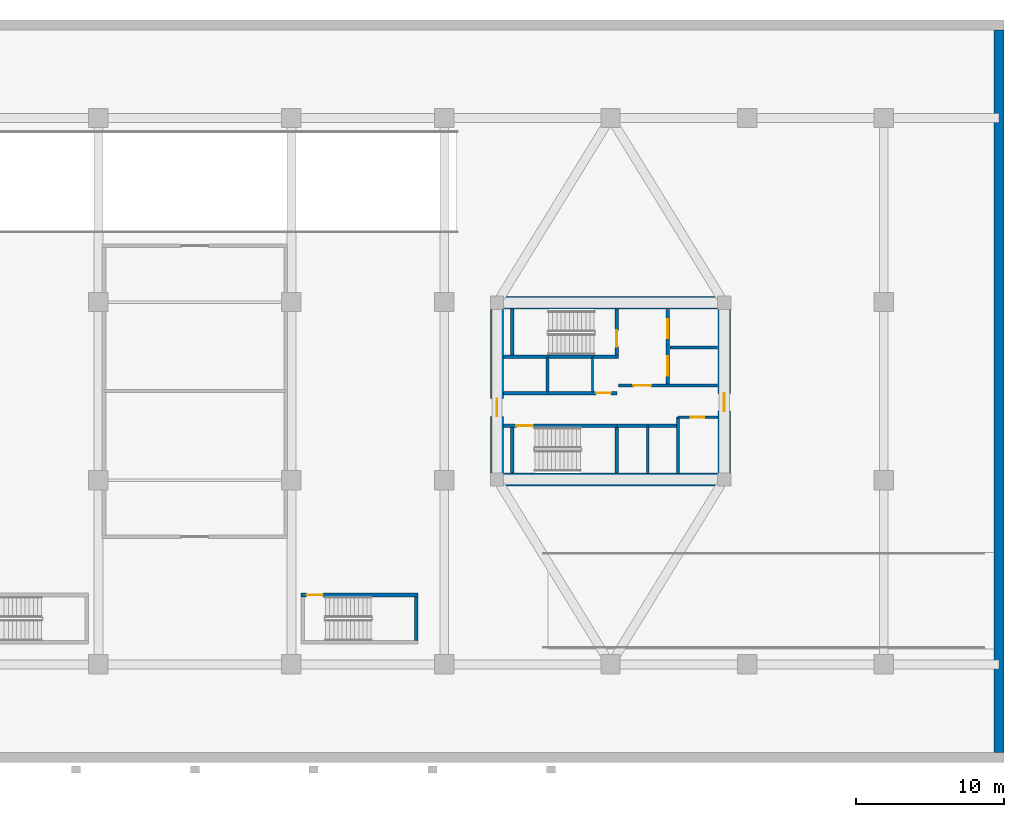
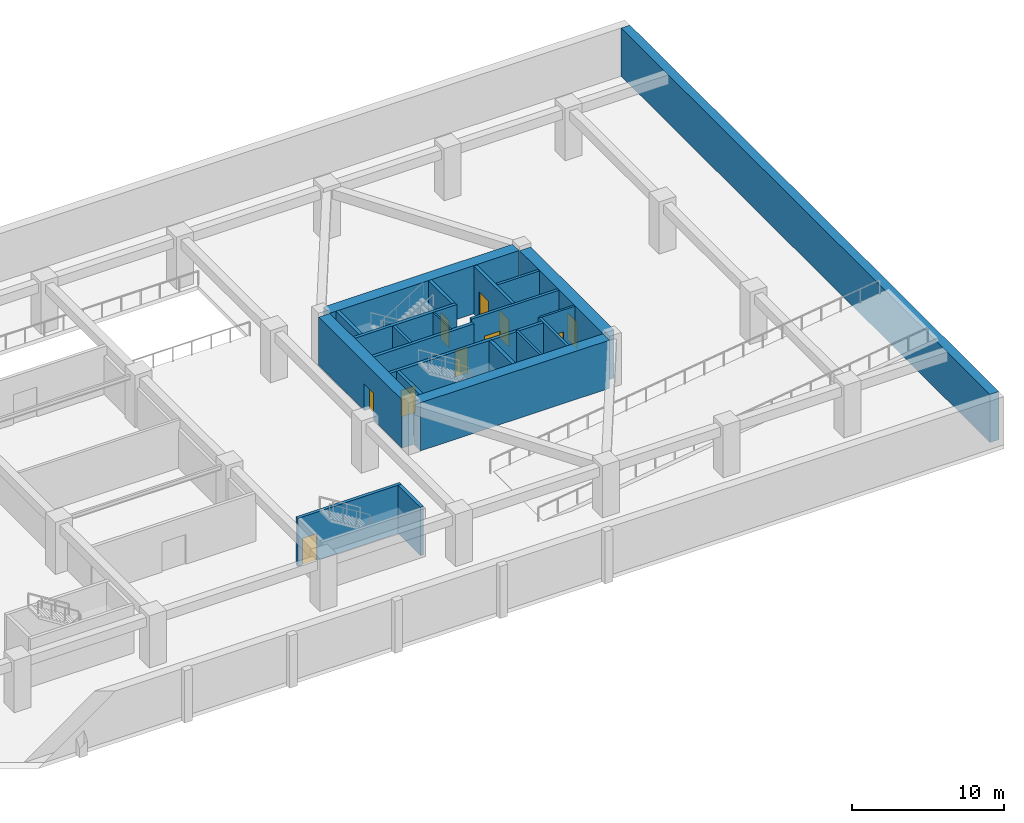
# One storey, part 7 of 14: 23 walls, 10 doors, 10 openings.
"""IFC4 building model written with IfcOpenShell, lengths in metres."""

from ifc_helpers import new_model, si_unit, direction, frame, frame_2d, origin, place, context, subcontext, project, spatial, rectangle, extrude, source, transform, mapped, material, layer, layer_set, type_object, type_shapes, element, fill, save


model = new_model("IFC4")

# Units and contexts
model_context = context("Model", 3, precision=1e-05, world=origin(), true_north=direction((0.0, 1.0)))
body_context = subcontext(model_context, "Body", "Model", "MODEL_VIEW")
ifc_project = project(units=[si_unit("LENGTHUNIT", "METRE"), si_unit("AREAUNIT", "SQUARE_METRE"), si_unit("VOLUMEUNIT", "CUBIC_METRE"), si_unit("PLANEANGLEUNIT", "RADIAN"), si_unit("MASSUNIT", "GRAM", prefix="KILO")], contexts=[model_context])

# Site, building, storey
site_placement = place(None, origin())
site = spatial("IfcSite", under=ifc_project, at=site_placement, CompositionType="ELEMENT")
building_placement = place(site_placement, origin())
building = spatial("IfcBuilding", under=site, at=building_placement, Name="Norrkilde Senior Care Towers", CompositionType="ELEMENT")
storey_placement = place(building_placement, frame((0.0, 0.0, -4.199951171875)))
storey = spatial("IfcBuildingStorey", under=building, at=storey_placement, Name="B1", CompositionType="ELEMENT", Elevation=-4.199951171875)

# Walls
ifc_material_1 = material(Name="Concrete C60/75", Category="concrete")
ifc_layer_1 = layer(ifc_material_1, 0.85009765625)
ifc_layer_set_1 = layer_set([ifc_layer_1], Name="Concrete C60/75")
wall_type_1 = type_object("IfcWallType", Name="Core Shear Wall Z1 850", PredefinedType="SHEAR", material=ifc_layer_set_1)
shared_shape_1 = source(origin(), body_context, "Body", "SweptSolid", [
    extrude(rectangle(XDim=14.39990234375, YDim=0.85009765625, at=frame_2d((7.199951171875, 0.0))), origin(), (0.0, 0.0, 1.0), 3.8798828125),
])
for number, where, z_axis, x_axis, name in (
    (1, (20.800048828125, 5.949951171875, 0.0), (0.0, 0.0, 1.0), (1.0, 0.0, 0.0), "B1 Core E North Shear Wall"),
    (2, (35.199951171875, -5.949951171875, 0.0), (0.0, 0.0, 1.0), (-1.0, 0.0, 0.0), "B1 Core E South Shear Wall"),
):
    element("IfcWall", number, at=place(storey_placement, frame(where, z_axis=z_axis, x_axis=x_axis)), inside=storey, type_object=wall_type_1, Name=name, PredefinedType="SHEAR", context=body_context, shape_type="MappedRepresentation", body=[
        mapped(shared_shape_1, transform((0.0, 0.0, 0.0), x_axis=(1.0, 0.0, 0.0), y_axis=(0.0, 1.0, 0.0), z_axis=(0.0, 0.0, 1.0), scale=1.0)),
    ])

# Wall, opening, door
shared_shape_2 = source(origin(), body_context, "Body", "SweptSolid", [
    extrude(rectangle(XDim=11.0, YDim=0.85009765625, at=frame_2d((5.5, 0.0))), origin(), (0.0, 0.0, 1.0), 3.8798828125),
])
type_shapes(wall_type_1, [shared_shape_1, shared_shape_2])
wall_1_placement = place(storey_placement, frame((20.35009765625, -5.5, 0.0), z_axis=(0.0, 0.0, 1.0), x_axis=(0.0, 1.0, 0.0)))
wall_1 = element("IfcWall", 3, at=wall_1_placement, inside=storey, type_object=wall_type_1, Name="B1 Core E West Shear Wall", PredefinedType="SHEAR", context=body_context, shape_type="MappedRepresentation", body=[
    mapped(shared_shape_2, transform((0.0, 0.0, 0.0), x_axis=(1.0, 0.0, 0.0), y_axis=(0.0, 1.0, 0.0), z_axis=(0.0, 0.0, 1.0), scale=1.0)),
])
opening_1_placement = place(wall_1_placement, frame((3.800048828125, 0.0, 0.0)))
opening_1 = element("IfcOpeningElement", 4, at=opening_1_placement, cuts=wall_1, Name="Opening D-04", PredefinedType="OPENING", context=body_context, shape_type="SweptSolid", body=[
    extrude(rectangle(XDim=1.199951171875, YDim=2.14990234375, at=frame_2d((0.60009765625, 1.074951171875))), frame((0.0, 0.43505859375, 0.0), z_axis=(0.0, -1.0, 0.0), x_axis=(1.0, 0.0, 0.0)), (0.0, 0.0, 1.0), 0.8701171875),
])
ifc_material_2 = material(Name="Galvanised Painted Steel", Category="steel")
door_type_1 = type_object("IfcDoorType", Name="Firefighting Lobby Fire Door 1200x2150", OperationType="NOTDEFINED", PredefinedType="DOOR", material=ifc_material_2)
shared_shape_3 = source(origin(), body_context, "Body", "SweptSolid", [
    extrude(rectangle(XDim=1.199951171875, YDim=2.14990234375, at=frame_2d((0.60009765625, 1.074951171875))), frame((0.0, 0.02490234375, 0.0), z_axis=(0.0, -1.0, 0.0), x_axis=(1.0, 0.0, 0.0)), (0.0, 0.0, 1.0), 0.050048828125),
])
type_shapes(door_type_1, [shared_shape_3])
door_1_placement = place(opening_1_placement, frame((1.199951171875, 0.0, 0.0), z_axis=(0.0, 0.0, 1.0), x_axis=(-1.0, 0.0, 0.0)))
door_1 = element("IfcDoor", 5, at=door_1_placement, inside=storey, type_object=door_type_1, Name="B1 Core E West Portal Door", OperationType="SINGLE_SWING_LEFT", OverallHeight=2.14990234375, OverallWidth=1.199951171875, PredefinedType="DOOR", context=body_context, shape_type="MappedRepresentation", body=[
    mapped(shared_shape_3, transform((0.0, 0.0, 0.0), x_axis=(1.0, 0.0, 0.0), y_axis=(0.0, 1.0, 0.0), z_axis=(0.0, 0.0, 1.0), scale=1.0)),
])
fill(opening_1, door_1)

wall_2_placement = place(storey_placement, frame((35.64990234375, 5.5, 0.0), z_axis=(0.0, 0.0, 1.0), x_axis=(0.0, -1.0, 0.0)))
wall_2 = element("IfcWall", 6, at=wall_2_placement, inside=storey, type_object=wall_type_1, Name="B1 Core E East Shear Wall", PredefinedType="SHEAR", context=body_context, shape_type="MappedRepresentation", body=[
    mapped(shared_shape_2, transform((0.0, 0.0, 0.0), x_axis=(1.0, 0.0, 0.0), y_axis=(0.0, 1.0, 0.0), z_axis=(0.0, 0.0, 1.0), scale=1.0)),
])
opening_2_placement = place(wall_2_placement, frame((5.64990234375, 0.0, 0.0)))
opening_2 = element("IfcOpeningElement", 7, at=opening_2_placement, cuts=wall_2, Name="Opening D-04", PredefinedType="OPENING", context=body_context, shape_type="SweptSolid", body=[
    extrude(rectangle(XDim=1.199951171875, YDim=2.14990234375, at=frame_2d((0.60009765625, 1.074951171875))), frame((0.0, 0.43505859375, 0.0), z_axis=(0.0, -1.0, 0.0), x_axis=(1.0, 0.0, 0.0)), (0.0, 0.0, 1.0), 0.8701171875),
])
door_2_placement = place(opening_2_placement, frame((1.199951171875, 0.0, 0.0), z_axis=(0.0, 0.0, 1.0), x_axis=(-1.0, 0.0, 0.0)))
door_2 = element("IfcDoor", 8, at=door_2_placement, inside=storey, type_object=door_type_1, Name="B1 Core E East Portal Door", OperationType="SINGLE_SWING_RIGHT", OverallHeight=2.14990234375, OverallWidth=1.199951171875, PredefinedType="DOOR", context=body_context, shape_type="MappedRepresentation", body=[
    mapped(shared_shape_3, transform((0.0, 0.0, 0.0), x_axis=(1.0, 0.0, 0.0), y_axis=(0.0, 1.0, 0.0), z_axis=(0.0, 0.0, 1.0), scale=1.0)),
])
fill(opening_2, door_2)

# Walls
ifc_material_3 = material(Name="Concrete C50/60", Category="concrete")
ifc_layer_2 = layer(ifc_material_3, 0.679931640625)
ifc_layer_set_2 = layer_set([ifc_layer_2], Name="Concrete C50/60")
wall_type_2 = type_object("IfcWallType", Name="Basement Retaining Wall 680", PredefinedType="SOLIDWALL", material=ifc_layer_set_2)
shared_shape_4 = source(origin(), body_context, "Body", "SweptSolid", [
    extrude(rectangle(XDim=48.64013671875, YDim=0.679931640625, at=frame_2d((24.320068359375, 0.0))), origin(), (0.0, 0.0, 1.0), 3.8798828125),
])
type_shapes(wall_type_2, [shared_shape_4])
wall_3_placement = place(storey_placement, frame((54.159912109375, -24.320068359375, 0.0), z_axis=(0.0, 0.0, 1.0), x_axis=(0.0, 1.0, 0.0)))
element("IfcWall", 9, at=wall_3_placement, inside=storey, type_object=wall_type_2, Name="B1 E Perimeter Retaining Wall", PredefinedType="SOLIDWALL", context=body_context, shape_type="MappedRepresentation", body=[
    mapped(shared_shape_4, transform((0.0, 0.0, 0.0), x_axis=(1.0, 0.0, 0.0), y_axis=(0.0, 1.0, 0.0), z_axis=(0.0, 0.0, 1.0), scale=1.0)),
])
ifc_material_4 = material(Name="Concrete C45/55", Category="concrete")
ifc_layer_3 = layer(ifc_material_4, 0.239990234375)
ifc_layer_set_3 = layer_set([ifc_layer_3], Name="Concrete C45/55")
wall_type_3 = type_object("IfcWallType", Name="Shaft and Stair Enclosure Wall 240", PredefinedType="PARTITIONING", material=ifc_layer_set_3)
shared_shape_5 = source(origin(), body_context, "Body", "SweptSolid", [
    extrude(rectangle(XDim=7.76513671875, YDim=0.239990234375, at=frame_2d((3.882568359375, 0.0))), origin(), (0.0, 0.0, 1.0), 3.8798828125),
])
wall_4_placement = place(storey_placement, frame((20.77490234375, 2.330078125, 0.0), z_axis=(0.0, 0.0, 1.0), x_axis=(1.0, 0.0, 0.0)))
element("IfcWall", 10, at=wall_4_placement, inside=storey, type_object=wall_type_3, Name="WL-INT-B1-E-ST1S", PredefinedType="PARTITIONING", context=body_context, shape_type="MappedRepresentation", body=[
    mapped(shared_shape_5, transform((0.0, 0.0, 0.0), x_axis=(1.0, 0.0, 0.0), y_axis=(0.0, 1.0, 0.0), z_axis=(0.0, 0.0, 1.0), scale=1.0)),
])

# Wall, opening, door
wall_5_placement = place(storey_placement, frame((20.77490234375, -2.330078125, 0.0), z_axis=(0.0, 0.0, 1.0), x_axis=(1.0, 0.0, 0.0)))
wall_5 = element("IfcWall", 11, at=wall_5_placement, inside=storey, type_object=wall_type_3, Name="WL-INT-B1-E-ST2N", PredefinedType="PARTITIONING", context=body_context, shape_type="MappedRepresentation", body=[
    mapped(shared_shape_5, transform((0.0, 0.0, 0.0), x_axis=(1.0, 0.0, 0.0), y_axis=(0.0, 1.0, 0.0), z_axis=(0.0, 0.0, 1.0), scale=1.0)),
])
opening_3_placement = place(wall_5_placement, frame((0.885009765625, 0.0, 0.0)))
opening_3 = element("IfcOpeningElement", 12, at=opening_3_placement, cuts=wall_5, Name="Opening D-03", PredefinedType="OPENING", context=body_context, shape_type="SweptSolid", body=[
    extrude(rectangle(XDim=1.10009765625, YDim=2.14990234375, at=frame_2d((0.550048828125, 1.074951171875))), frame((0.0, 0.1298828125, 0.0), z_axis=(0.0, -1.0, 0.0), x_axis=(1.0, 0.0, 0.0)), (0.0, 0.0, 1.0), 0.260009765625),
])
door_type_2 = type_object("IfcDoorType", Name="Stairwell Protected Fire Door 1100x2150", OperationType="NOTDEFINED", PredefinedType="DOOR", material=ifc_material_2)
shared_shape_6 = source(origin(), body_context, "Body", "SweptSolid", [
    extrude(rectangle(XDim=1.10009765625, YDim=2.14990234375, at=frame_2d((0.550048828125, 1.074951171875))), frame((0.0, 0.02490234375, 0.0), z_axis=(0.0, -1.0, 0.0), x_axis=(1.0, 0.0, 0.0)), (0.0, 0.0, 1.0), 0.050048828125),
])
type_shapes(door_type_2, [shared_shape_6])
door_3_placement = place(opening_3_placement, frame((1.10009765625, 0.0, 0.0), z_axis=(0.0, 0.0, 1.0), x_axis=(-1.0, 0.0, 0.0)))
door_3 = element("IfcDoor", 13, at=door_3_placement, inside=storey, type_object=door_type_2, Name="B1 Stair E2 Fire Door", OperationType="SINGLE_SWING_RIGHT", OverallHeight=2.14990234375, OverallWidth=1.10009765625, PredefinedType="DOOR", context=body_context, shape_type="MappedRepresentation", body=[
    mapped(shared_shape_6, transform((0.0, 0.0, 0.0), x_axis=(1.0, 0.0, 0.0), y_axis=(0.0, 1.0, 0.0), z_axis=(0.0, 0.0, 1.0), scale=1.0)),
])
fill(opening_3, door_3)

# Wall
shared_shape_7 = source(origin(), body_context, "Body", "SweptSolid", [
    extrude(rectangle(XDim=3.074951171875, YDim=0.239990234375, at=frame_2d((1.53759765625, 0.0))), origin(), (0.0, 0.0, 1.0), 3.8798828125),
])
wall_6_placement = place(storey_placement, frame((21.3798828125, 2.449951171875, 0.0), z_axis=(0.0, 0.0, 1.0), x_axis=(0.0, 1.0, 0.0)))
element("IfcWall", 14, at=wall_6_placement, inside=storey, type_object=wall_type_3, Name="WL-INT-B1-E-ST1W", PredefinedType="PARTITIONING", context=body_context, shape_type="MappedRepresentation", body=[
    mapped(shared_shape_7, transform((0.0, 0.0, 0.0), x_axis=(1.0, 0.0, 0.0), y_axis=(0.0, 1.0, 0.0), z_axis=(0.0, 0.0, 1.0), scale=1.0)),
])

# Wall, opening, door
wall_7_placement = place(storey_placement, frame((28.419921875, 2.449951171875, 0.0), z_axis=(0.0, 0.0, 1.0), x_axis=(0.0, 1.0, 0.0)))
wall_7 = element("IfcWall", 15, at=wall_7_placement, inside=storey, type_object=wall_type_3, Name="WL-INT-B1-E-ST1E", PredefinedType="PARTITIONING", context=body_context, shape_type="MappedRepresentation", body=[
    mapped(shared_shape_7, transform((0.0, 0.0, 0.0), x_axis=(1.0, 0.0, 0.0), y_axis=(0.0, 1.0, 0.0), z_axis=(0.0, 0.0, 1.0), scale=1.0)),
])
opening_4_placement = place(wall_7_placement, frame((0.550048828125, 0.0, 0.0)))
opening_4 = element("IfcOpeningElement", 16, at=opening_4_placement, cuts=wall_7, Name="Opening D-03", PredefinedType="OPENING", context=body_context, shape_type="SweptSolid", body=[
    extrude(rectangle(XDim=1.10009765625, YDim=2.14990234375, at=frame_2d((0.550048828125, 1.074951171875))), frame((0.0, 0.1298828125, 0.0), z_axis=(0.0, -1.0, 0.0), x_axis=(1.0, 0.0, 0.0)), (0.0, 0.0, 1.0), 0.260009765625),
])
door_4_placement = place(opening_4_placement, origin())
door_4 = element("IfcDoor", 17, at=door_4_placement, inside=storey, type_object=door_type_2, Name="B1 Stair E1 Fire Door", OperationType="SINGLE_SWING_LEFT", OverallHeight=2.14990234375, OverallWidth=1.10009765625, PredefinedType="DOOR", context=body_context, shape_type="MappedRepresentation", body=[
    mapped(shared_shape_6, transform((0.0, 0.0, 0.0), x_axis=(1.0, 0.0, 0.0), y_axis=(0.0, 1.0, 0.0), z_axis=(0.0, 0.0, 1.0), scale=1.0)),
])
fill(opening_4, door_4)

# Walls
for number, where, z_axis, x_axis, name in (
    (18, (21.3798828125, -5.52490234375, 0.0), (0.0, 0.0, 1.0), (0.0, 1.0, 0.0), "WL-INT-B1-E-ST2W"),
    (19, (28.419921875, -5.52490234375, 0.0), (0.0, 0.0, 1.0), (0.0, 1.0, 0.0), "WL-INT-B1-E-ST2E"),
):
    element("IfcWall", number, at=place(storey_placement, frame(where, z_axis=z_axis, x_axis=x_axis)), inside=storey, type_object=wall_type_3, Name=name, PredefinedType="PARTITIONING", context=body_context, shape_type="MappedRepresentation", body=[
        mapped(shared_shape_7, transform((0.0, 0.0, 0.0), x_axis=(1.0, 0.0, 0.0), y_axis=(0.0, 1.0, 0.0), z_axis=(0.0, 0.0, 1.0), scale=1.0)),
    ])

# Wall, openings, doors
ifc_layer_4 = layer(ifc_material_4, 0.239990234375)
ifc_layer_set_4 = layer_set([ifc_layer_4], Name="Concrete C45/55")
wall_type_4 = type_object("IfcWallType", Name="Lift and Plant Rated Enclosure Partition 240", PredefinedType="PARTITIONING", material=ifc_layer_set_4)
shared_shape_8 = source(origin(), body_context, "Body", "SweptSolid", [
    extrude(rectangle(XDim=5.0, YDim=0.239990234375, at=frame_2d((2.5, 0.0))), origin(), (0.0, 0.0, 1.0), 3.864990234375),
])
wall_8_placement = place(storey_placement, frame((31.860107421875, 0.5, 0.0), z_axis=(0.0, 0.0, 1.0), x_axis=(0.0, 1.0, 0.0)))
wall_8 = element("IfcWall", 20, at=wall_8_placement, inside=storey, type_object=wall_type_4, Name="WL-INT-B1-E-FFLE", PredefinedType="PARTITIONING", context=body_context, shape_type="MappedRepresentation", body=[
    mapped(shared_shape_8, transform((0.0, 0.0, 0.0), x_axis=(1.0, 0.0, 0.0), y_axis=(0.0, 1.0, 0.0), z_axis=(0.0, 0.0, 1.0), scale=1.0)),
])
opening_5_placement = place(wall_8_placement, frame((3.050048828125, 0.0, 0.0)))
opening_5 = element("IfcOpeningElement", 21, at=opening_5_placement, cuts=wall_8, Name="Opening LD-02", PredefinedType="OPENING", context=body_context, shape_type="SweptSolid", body=[
    extrude(rectangle(XDim=1.300048828125, YDim=2.199951171875, at=frame_2d((0.64990234375, 1.10009765625))), frame((0.0, 0.1298828125, 0.0), z_axis=(0.0, -1.0, 0.0), x_axis=(1.0, 0.0, 0.0)), (0.0, 0.0, 1.0), 0.260009765625),
])
opening_6_placement = place(wall_8_placement, frame((0.550048828125, 0.0, 0.0)))
opening_6 = element("IfcOpeningElement", 22, at=opening_6_placement, cuts=wall_8, Name="Opening LD-02", PredefinedType="OPENING", context=body_context, shape_type="SweptSolid", body=[
    extrude(rectangle(XDim=1.300048828125, YDim=2.199951171875, at=frame_2d((0.64990234375, 1.10009765625))), frame((0.0, 0.1298828125, 0.0), z_axis=(0.0, -1.0, 0.0), x_axis=(1.0, 0.0, 0.0)), (0.0, 0.0, 1.0), 0.260009765625),
])
ifc_material_5 = material(Name="Stainless Steel", Category="steel")
door_type_3 = type_object("IfcDoorType", Name="Stretcher and FFL Landing Sliding Door 1300x2200", OperationType="NOTDEFINED", PredefinedType="DOOR", material=ifc_material_5)
shared_shape_9 = source(origin(), body_context, "Body", "SweptSolid", [
    extrude(rectangle(XDim=1.300048828125, YDim=2.199951171875, at=frame_2d((0.64990234375, 1.10009765625))), frame((0.0, 0.02490234375, 0.0), z_axis=(0.0, -1.0, 0.0), x_axis=(1.0, 0.0, 0.0)), (0.0, 0.0, 1.0), 0.050048828125),
])
type_shapes(door_type_3, [shared_shape_9])
door_5_placement = place(opening_5_placement, origin())
door_5 = element("IfcDoor", 23, at=door_5_placement, inside=storey, type_object=door_type_3, Name="B1 Firefighting Lift E1 Landing Door", OperationType="SLIDING_TO_LEFT", OverallHeight=2.199951171875, OverallWidth=1.300048828125, PredefinedType="DOOR", context=body_context, shape_type="MappedRepresentation", body=[
    mapped(shared_shape_9, transform((0.0, 0.0, 0.0), x_axis=(1.0, 0.0, 0.0), y_axis=(0.0, 1.0, 0.0), z_axis=(0.0, 0.0, 1.0), scale=1.0)),
])
fill(opening_5, door_5)
door_6_placement = place(opening_6_placement, origin())
door_6 = element("IfcDoor", 24, at=door_6_placement, inside=storey, type_object=door_type_3, Name="B1 Stretcher Lift E1 Landing Door", OperationType="SLIDING_TO_RIGHT", OverallHeight=2.199951171875, OverallWidth=1.300048828125, PredefinedType="DOOR", context=body_context, shape_type="MappedRepresentation", body=[
    mapped(shared_shape_9, transform((0.0, 0.0, 0.0), x_axis=(1.0, 0.0, 0.0), y_axis=(0.0, 1.0, 0.0), z_axis=(0.0, 0.0, 1.0), scale=1.0)),
])
fill(opening_6, door_6)

# Wall
ifc_layer_5 = layer(ifc_material_4, 0.199951171875)
ifc_layer_set_5 = layer_set([ifc_layer_5], Name="Concrete C45/55")
wall_type_5 = type_object("IfcWallType", Name="Shaft Division and Plant Partition 200", PredefinedType="PARTITIONING", material=ifc_layer_set_5)
shared_shape_10 = source(origin(), body_context, "Body", "SweptSolid", [
    extrude(rectangle(XDim=3.199951171875, YDim=0.199951171875, at=frame_2d((1.60009765625, 0.0))), origin(), (0.0, 0.0, 1.0), 3.864990234375),
])
wall_9_placement = place(storey_placement, frame((32.0, 2.949951171875, 0.0), z_axis=(0.0, 0.0, 1.0), x_axis=(1.0, 0.0, 0.0)))
element("IfcWall", 25, at=wall_9_placement, inside=storey, type_object=wall_type_5, Name="WL-INT-B1-E-FFLDIV", PredefinedType="PARTITIONING", context=body_context, shape_type="MappedRepresentation", body=[
    mapped(shared_shape_10, transform((0.0, 0.0, 0.0), x_axis=(1.0, 0.0, 0.0), y_axis=(0.0, 1.0, 0.0), z_axis=(0.0, 0.0, 1.0), scale=1.0)),
])

# Wall, opening, door
ifc_layer_6 = layer(ifc_material_4, 0.2099609375)
ifc_layer_set_6 = layer_set([ifc_layer_6], Name="Concrete C45/55")
wall_type_6 = type_object("IfcWallType", Name="Firefighting Lobby Wall 210", PredefinedType="PARTITIONING", material=ifc_layer_set_6)
shared_shape_11 = source(origin(), body_context, "Body", "SweptSolid", [
    extrude(rectangle(XDim=6.659912109375, YDim=0.2099609375, at=frame_2d((3.330078125, 0.0))), origin(), (0.0, 0.0, 1.0), 3.864990234375),
])
type_shapes(wall_type_6, [shared_shape_11])
wall_10_placement = place(storey_placement, frame((28.5400390625, 0.389892578125, 0.0), z_axis=(0.0, 0.0, 1.0), x_axis=(1.0, 0.0, 0.0)))
wall_10 = element("IfcWall", 26, at=wall_10_placement, inside=storey, type_object=wall_type_6, Name="WL-INT-B1-E-FFLS", PredefinedType="PARTITIONING", context=body_context, shape_type="MappedRepresentation", body=[
    mapped(shared_shape_11, transform((0.0, 0.0, 0.0), x_axis=(1.0, 0.0, 0.0), y_axis=(0.0, 1.0, 0.0), z_axis=(0.0, 0.0, 1.0), scale=1.0)),
])
opening_7_placement = place(wall_10_placement, frame((1.0, 0.0, 0.0)))
opening_7 = element("IfcOpeningElement", 27, at=opening_7_placement, cuts=wall_10, Name="Opening D-04", PredefinedType="OPENING", context=body_context, shape_type="SweptSolid", body=[
    extrude(rectangle(XDim=1.199951171875, YDim=2.14990234375, at=frame_2d((0.60009765625, 1.074951171875))), frame((0.0, 0.114990234375, 0.0), z_axis=(0.0, -1.0, 0.0), x_axis=(1.0, 0.0, 0.0)), (0.0, 0.0, 1.0), 0.22998046875),
])
door_7_placement = place(opening_7_placement, frame((1.199951171875, 0.0, 0.0), z_axis=(0.0, 0.0, 1.0), x_axis=(-1.0, 0.0, 0.0)))
door_7 = element("IfcDoor", 28, at=door_7_placement, inside=storey, type_object=door_type_1, Name="B1 Firefighting Lobby E Door", OperationType="SINGLE_SWING_LEFT", OverallHeight=2.14990234375, OverallWidth=1.199951171875, PredefinedType="DOOR", context=body_context, shape_type="MappedRepresentation", body=[
    mapped(shared_shape_3, transform((0.0, 0.0, 0.0), x_axis=(1.0, 0.0, 0.0), y_axis=(0.0, 1.0, 0.0), z_axis=(0.0, 0.0, 1.0), scale=1.0)),
])
fill(opening_7, door_7)

shared_shape_12 = source(origin(), body_context, "Body", "SweptSolid", [
    extrude(rectangle(XDim=7.619873046875, YDim=0.239990234375, at=frame_2d((3.81005859375, 0.0))), origin(), (0.0, 0.0, 1.0), 3.864990234375),
])
wall_11_placement = place(storey_placement, frame((20.800048828125, -0.1298828125, 0.0), z_axis=(0.0, 0.0, 1.0), x_axis=(1.0, 0.0, 0.0)))
wall_11 = element("IfcWall", 29, at=wall_11_placement, inside=storey, type_object=wall_type_4, Name="WL-INT-B1-E-PKAS", PredefinedType="PARTITIONING", context=body_context, shape_type="MappedRepresentation", body=[
    mapped(shared_shape_12, transform((0.0, 0.0, 0.0), x_axis=(1.0, 0.0, 0.0), y_axis=(0.0, 1.0, 0.0), z_axis=(0.0, 0.0, 1.0), scale=1.0)),
])
opening_8_placement = place(wall_11_placement, frame((6.219970703125, 0.0, 0.0)))
opening_8 = element("IfcOpeningElement", 30, at=opening_8_placement, cuts=wall_11, Name="Opening D-10", PredefinedType="OPENING", context=body_context, shape_type="SweptSolid", body=[
    extrude(rectangle(XDim=1.0, YDim=2.10009765625, at=frame_2d((0.5, 1.050048828125))), frame((0.0, 0.1298828125, 0.0), z_axis=(0.0, -1.0, 0.0), x_axis=(1.0, 0.0, 0.0)), (0.0, 0.0, 1.0), 0.260009765625),
])
door_type_4 = type_object("IfcDoorType", Name="Plant and Riser Rated Door 1000x2100", OperationType="NOTDEFINED", PredefinedType="DOOR", material=ifc_material_2)
shared_shape_13 = source(origin(), body_context, "Body", "SweptSolid", [
    extrude(rectangle(XDim=1.0, YDim=2.10009765625, at=frame_2d((0.5, 1.050048828125))), frame((0.0, 0.02490234375, 0.0), z_axis=(0.0, -1.0, 0.0), x_axis=(1.0, 0.0, 0.0)), (0.0, 0.0, 1.0), 0.050048828125),
])
type_shapes(door_type_4, [shared_shape_13])
door_8_placement = place(opening_8_placement, frame((1.0, 0.0, 0.0), z_axis=(0.0, 0.0, 1.0), x_axis=(-1.0, 0.0, 0.0)))
door_8 = element("IfcDoor", 31, at=door_8_placement, inside=storey, type_object=door_type_4, Name="B1 Electrical Riser E Door", OperationType="SINGLE_SWING_LEFT", OverallHeight=2.10009765625, OverallWidth=1.0, PredefinedType="DOOR", context=body_context, shape_type="MappedRepresentation", body=[
    mapped(shared_shape_13, transform((0.0, 0.0, 0.0), x_axis=(1.0, 0.0, 0.0), y_axis=(0.0, 1.0, 0.0), z_axis=(0.0, 0.0, 1.0), scale=1.0)),
])
fill(opening_8, door_8)

# Walls
ifc_material_6 = material(Name="Gypsum Acoustic Board")
ifc_layer_7 = layer(ifc_material_6, 0.114990234375)
ifc_layer_set_7 = layer_set([ifc_layer_7], Name="Gypsum Acoustic Board")
wall_type_7 = type_object("IfcWallType", Name="Internal Room Partition 115", PredefinedType="PARTITIONING", material=ifc_layer_set_7)
shared_shape_14 = source(origin(), body_context, "Body", "SweptSolid", [
    extrude(rectangle(XDim=2.330078125, YDim=0.114990234375, at=frame_2d((1.1650390625, 0.0))), origin(), (0.0, 0.0, 1.0), 3.864990234375),
])
type_shapes(wall_type_7, [shared_shape_14])
wall_12_placement = place(storey_placement, frame((26.7900390625, -0.050048828125, 0.0), z_axis=(0.0, 0.0, 1.0), x_axis=(0.0, 1.0, 0.0)))
element("IfcWall", 32, at=wall_12_placement, inside=storey, type_object=wall_type_7, Name="WL-INT-B1-E-RISW", PredefinedType="PARTITIONING", context=body_context, shape_type="MappedRepresentation", body=[
    mapped(shared_shape_14, transform((0.0, 0.0, 0.0), x_axis=(1.0, 0.0, 0.0), y_axis=(0.0, 1.0, 0.0), z_axis=(0.0, 0.0, 1.0), scale=1.0)),
])
shared_shape_15 = source(origin(), body_context, "Body", "SweptSolid", [
    extrude(rectangle(XDim=2.330078125, YDim=0.199951171875, at=frame_2d((1.1650390625, 0.0))), origin(), (0.0, 0.0, 1.0), 3.864990234375),
])
wall_13_placement = place(storey_placement, frame((23.75, -0.050048828125, 0.0), z_axis=(0.0, 0.0, 1.0), x_axis=(0.0, 1.0, 0.0)))
element("IfcWall", 33, at=wall_13_placement, inside=storey, type_object=wall_type_5, Name="WL-INT-B1-E-PL12", PredefinedType="PARTITIONING", context=body_context, shape_type="MappedRepresentation", body=[
    mapped(shared_shape_15, transform((0.0, 0.0, 0.0), x_axis=(1.0, 0.0, 0.0), y_axis=(0.0, 1.0, 0.0), z_axis=(0.0, 0.0, 1.0), scale=1.0)),
])
shared_shape_16 = source(origin(), body_context, "Body", "SweptSolid", [
    extrude(rectangle(XDim=3.800048828125, YDim=0.199951171875, at=frame_2d((1.89990234375, 0.0))), origin(), (0.0, 0.0, 1.0), 3.864990234375),
])
type_shapes(wall_type_5, [shared_shape_10, shared_shape_15, shared_shape_16])
wall_14_placement = place(storey_placement, frame((32.550048828125, -5.550048828125, 0.0), z_axis=(0.0, 0.0, 1.0), x_axis=(0.0, 1.0, 0.0)))
element("IfcWall", 34, at=wall_14_placement, inside=storey, type_object=wall_type_5, Name="WL-INT-B1-E-PKBE", PredefinedType="PARTITIONING", context=body_context, shape_type="MappedRepresentation", body=[
    mapped(shared_shape_16, transform((0.0, 0.0, 0.0), x_axis=(1.0, 0.0, 0.0), y_axis=(0.0, 1.0, 0.0), z_axis=(0.0, 0.0, 1.0), scale=1.0)),
])
shared_shape_17 = source(origin(), body_context, "Body", "SweptSolid", [
    extrude(rectangle(XDim=4.130126953125, YDim=0.239990234375, at=frame_2d((2.06494140625, 0.0))), origin(), (0.0, 0.0, 1.0), 3.864990234375),
])
type_shapes(wall_type_4, [shared_shape_8, shared_shape_12, shared_shape_17])
wall_15_placement = place(storey_placement, frame((28.419921875, -2.330078125, 0.0), z_axis=(0.0, 0.0, 1.0), x_axis=(1.0, 0.0, 0.0)))
element("IfcWall", 35, at=wall_15_placement, inside=storey, type_object=wall_type_4, Name="WL-INT-B1-E-PKBN", PredefinedType="PARTITIONING", context=body_context, shape_type="MappedRepresentation", body=[
    mapped(shared_shape_17, transform((0.0, 0.0, 0.0), x_axis=(1.0, 0.0, 0.0), y_axis=(0.0, 1.0, 0.0), z_axis=(0.0, 0.0, 1.0), scale=1.0)),
])
ifc_layer_8 = layer(ifc_material_4, 0.179931640625)
ifc_layer_set_8 = layer_set([ifc_layer_8], Name="Concrete C45/55")
wall_type_8 = type_object("IfcWallType", Name="Hoistway Division Rated Partition 180", PredefinedType="PARTITIONING", material=ifc_layer_set_8)
shared_shape_18 = source(origin(), body_context, "Body", "SweptSolid", [
    extrude(rectangle(XDim=3.219970703125, YDim=0.179931640625, at=frame_2d((1.60986328125, 0.0))), origin(), (0.0, 0.0, 1.0), 3.864990234375),
])
type_shapes(wall_type_8, [shared_shape_18])
wall_16_placement = place(storey_placement, frame((30.5, -5.550048828125, 0.0), z_axis=(0.0, 0.0, 1.0), x_axis=(0.0, 1.0, 0.0)))
element("IfcWall", 36, at=wall_16_placement, inside=storey, type_object=wall_type_8, Name="WL-INT-B1-E-PL34", PredefinedType="PARTITIONING", context=body_context, shape_type="MappedRepresentation", body=[
    mapped(shared_shape_18, transform((0.0, 0.0, 0.0), x_axis=(1.0, 0.0, 0.0), y_axis=(0.0, 1.0, 0.0), z_axis=(0.0, 0.0, 1.0), scale=1.0)),
])

# Wall, opening, door
ifc_layer_9 = layer(ifc_material_6, 0.1650390625)
ifc_layer_set_9 = layer_set([ifc_layer_9], Name="Gypsum Acoustic Board")
wall_type_9 = type_object("IfcWallType", Name="Corridor Rated Partition 165", PredefinedType="PARTITIONING", material=ifc_layer_set_9)
shared_shape_19 = source(origin(), body_context, "Body", "SweptSolid", [
    extrude(rectangle(XDim=2.699951171875, YDim=0.1650390625, at=frame_2d((1.35009765625, 0.0))), origin(), (0.0, 0.0, 1.0), 3.864990234375),
])
type_shapes(wall_type_9, [shared_shape_19])
wall_17_placement = place(storey_placement, frame((32.550048828125, -1.75, 0.0), z_axis=(0.0, 0.0, 1.0), x_axis=(1.0, 0.0, 0.0)))
wall_17 = element("IfcWall", 37, at=wall_17_placement, inside=storey, type_object=wall_type_9, Name="WL-INT-B1-E-CSN", PredefinedType="PARTITIONING", context=body_context, shape_type="MappedRepresentation", body=[
    mapped(shared_shape_19, transform((0.0, 0.0, 0.0), x_axis=(1.0, 0.0, 0.0), y_axis=(0.0, 1.0, 0.0), z_axis=(0.0, 0.0, 1.0), scale=1.0)),
])
opening_9_placement = place(wall_17_placement, frame((0.85009765625, 0.0, 0.0)))
opening_9 = element("IfcOpeningElement", 38, at=opening_9_placement, cuts=wall_17, Name="Opening D-12", PredefinedType="OPENING", context=body_context, shape_type="SweptSolid", body=[
    extrude(rectangle(XDim=0.925048828125, YDim=2.10009765625, at=frame_2d((0.46240234375, 1.050048828125))), frame((0.0, 0.092529296875, 0.0), z_axis=(0.0, -1.0, 0.0), x_axis=(1.0, 0.0, 0.0)), (0.0, 0.0, 1.0), 0.18505859375),
])
door_type_5 = type_object("IfcDoorType", Name="Core Wet Room Rated Door 925x2100", OperationType="NOTDEFINED", PredefinedType="DOOR", material=ifc_material_2)
shared_shape_20 = source(origin(), body_context, "Body", "SweptSolid", [
    extrude(rectangle(XDim=0.925048828125, YDim=2.10009765625, at=frame_2d((0.46240234375, 1.050048828125))), frame((0.0, 0.02490234375, 0.0), z_axis=(0.0, -1.0, 0.0), x_axis=(1.0, 0.0, 0.0)), (0.0, 0.0, 1.0), 0.050048828125),
])
type_shapes(door_type_5, [shared_shape_20])
door_9_placement = place(opening_9_placement, origin())
door_9 = element("IfcDoor", 39, at=door_9_placement, inside=storey, type_object=door_type_5, Name="B1 Core Utility E Door", OperationType="SINGLE_SWING_LEFT", OverallHeight=2.10009765625, OverallWidth=0.925048828125, PredefinedType="DOOR", context=body_context, shape_type="MappedRepresentation", body=[
    mapped(shared_shape_20, transform((0.0, 0.0, 0.0), x_axis=(1.0, 0.0, 0.0), y_axis=(0.0, 1.0, 0.0), z_axis=(0.0, 0.0, 1.0), scale=1.0)),
])
fill(opening_9, door_9)

shared_shape_21 = source(origin(), body_context, "Body", "SweptSolid", [
    extrude(rectangle(XDim=7.880126953125, YDim=0.239990234375, at=frame_2d((3.93994140625, 0.0))), origin(), (0.0, 0.0, 1.0), 3.8798828125),
])
wall_18_placement = place(storey_placement, frame((7.159912109375, -13.72998046875, 0.0), z_axis=(0.0, 0.0, 1.0), x_axis=(1.0, 0.0, 0.0)))
wall_18 = element("IfcWall", 40, at=wall_18_placement, inside=storey, type_object=wall_type_3, Name="WL-INT-B1-STP2-N", PredefinedType="PARTITIONING", context=body_context, shape_type="MappedRepresentation", body=[
    mapped(shared_shape_21, transform((0.0, 0.0, 0.0), x_axis=(1.0, 0.0, 0.0), y_axis=(0.0, 1.0, 0.0), z_axis=(0.0, 0.0, 1.0), scale=1.0)),
])
opening_10_placement = place(wall_18_placement, frame((0.3701171875, 0.0, 0.0)))
opening_10 = element("IfcOpeningElement", 41, at=opening_10_placement, cuts=wall_18, Name="Opening D-03", PredefinedType="OPENING", context=body_context, shape_type="SweptSolid", body=[
    extrude(rectangle(XDim=1.10009765625, YDim=2.14990234375, at=frame_2d((0.550048828125, 1.074951171875))), frame((0.0, 0.1298828125, 0.0), z_axis=(0.0, -1.0, 0.0), x_axis=(1.0, 0.0, 0.0)), (0.0, 0.0, 1.0), 0.260009765625),
])
door_10_placement = place(opening_10_placement, origin())
door_10 = element("IfcDoor", 42, at=door_10_placement, inside=storey, type_object=door_type_2, Name="B1 Podium Stair P2 Door", OperationType="SINGLE_SWING_LEFT", OverallHeight=2.14990234375, OverallWidth=1.10009765625, PredefinedType="DOOR", context=body_context, shape_type="MappedRepresentation", body=[
    mapped(shared_shape_6, transform((0.0, 0.0, 0.0), x_axis=(1.0, 0.0, 0.0), y_axis=(0.0, 1.0, 0.0), z_axis=(0.0, 0.0, 1.0), scale=1.0)),
])
fill(opening_10, door_10)

# Wall
shared_shape_22 = source(origin(), body_context, "Body", "SweptSolid", [
    extrude(rectangle(XDim=2.949951171875, YDim=0.239990234375, at=frame_2d((1.47509765625, 0.0))), origin(), (0.0, 0.0, 1.0), 3.8798828125),
])
type_shapes(wall_type_3, [shared_shape_5, shared_shape_7, shared_shape_21, shared_shape_22])
wall_19_placement = place(storey_placement, frame((14.919921875, -16.800048828125, 0.0), z_axis=(0.0, 0.0, 1.0), x_axis=(0.0, 1.0, 0.0)))
element("IfcWall", 43, at=wall_19_placement, inside=storey, type_object=wall_type_3, Name="WL-INT-B1-STP2-E", PredefinedType="PARTITIONING", context=body_context, shape_type="MappedRepresentation", body=[
    mapped(shared_shape_22, transform((0.0, 0.0, 0.0), x_axis=(1.0, 0.0, 0.0), y_axis=(0.0, 1.0, 0.0), z_axis=(0.0, 0.0, 1.0), scale=1.0)),
])

save(model, "model.ifc")
